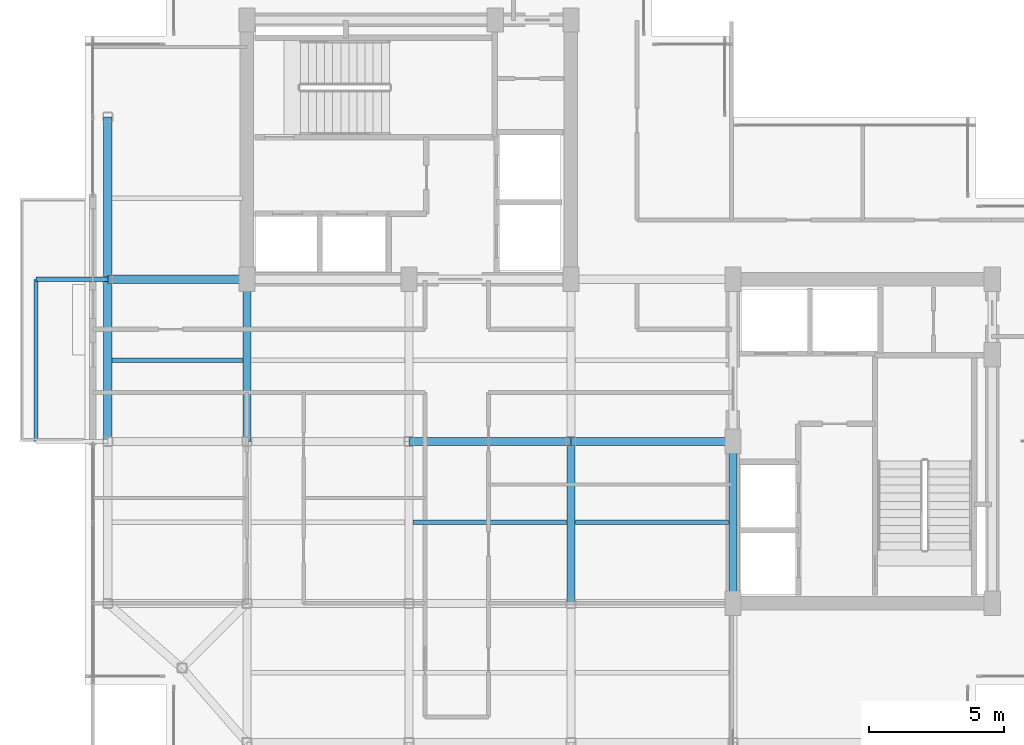
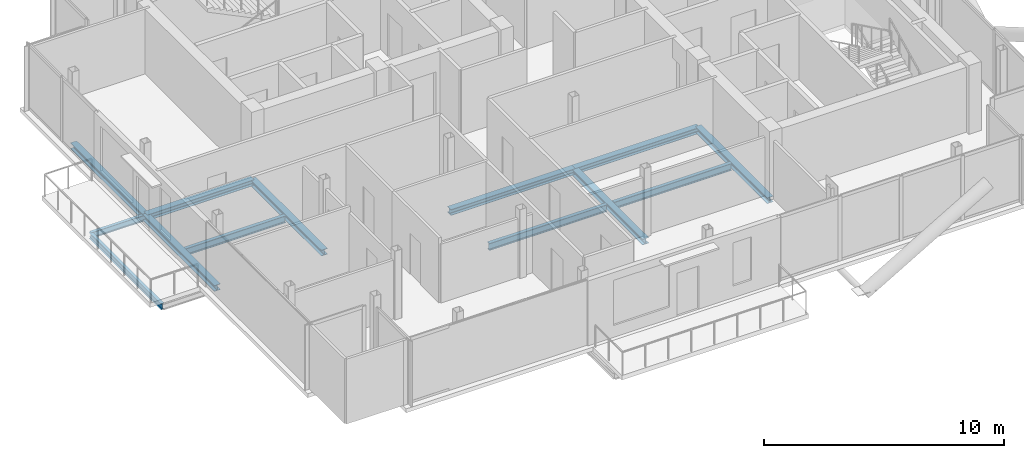
# One storey, part 6 of 18: 13 beams.
"""IFC4 building model written with IfcOpenShell, lengths in metres."""

import ifcopenshell
import ifcopenshell.guid

model = None  # the IFC model being written
_history = None  # IfcOwnerHistory: only IFC2X3 demands one
_inside = {}  # id of a spatial element -> (the spatial element, [elements in it])
_under = {}  # id of a project, library or spatial element -> (it, [spatial elements below it])
_declared = {}  # id of a project -> (the project, [libraries it declares])
_typed = {}  # id of a type object -> (the type object, [elements of that type])
_made_of = {}  # id of a material, layer set ... -> (it, [elements and type objects made of it])


def new_model(schema):
    """Start an empty IFC model of exactly this schema.

    Asked for "IFC4X3", IfcOpenShell would pick the latest addendum, in which some entities
    have other attributes; the version numbers below select the first issue.
    IFC2X3 requires an IfcOwnerHistory on every rooted entity: one is made here for all.
    """
    global model, _history
    if schema == "IFC4X3":
        model = ifcopenshell.file(schema_version=(4, 3, 0, 0))
    else:
        model = ifcopenshell.file(schema=schema)
    _inside.clear()
    _under.clear()
    _declared.clear()
    _typed.clear()
    _made_of.clear()
    _history = None
    if model.schema == "IFC2X3":
        org = make("IfcOrganization", Name="unknown")
        user = make(
            "IfcPersonAndOrganization",
            ThePerson=make("IfcPerson", FamilyName="unknown"),
            TheOrganization=org,
        )
        app = make(
            "IfcApplication",
            ApplicationDeveloper=org,
            Version="unknown",
            ApplicationFullName="unknown",
            ApplicationIdentifier="unknown",
        )
        _history = make(
            "IfcOwnerHistory",
            OwningUser=user,
            OwningApplication=app,
            ChangeAction="ADDED",
            CreationDate=0,
        )
    return model


def make(cls, **values):
    """One entity of the class cls with the attributes given. An attribute that is None is left unset."""
    return model.create_entity(
        cls, **{name: value for name, value in values.items() if value is not None}
    )


def rooted(cls, **values):
    """An entity with a GlobalId (a new one), such as an element, a storey or a relation."""
    return make(cls, GlobalId=ifcopenshell.guid.new(), OwnerHistory=_history, **values)


def si_unit(unit_type, name, prefix=None):
    """IfcSIUnit, for example si_unit("LENGTHUNIT", "METRE", prefix="MILLI")."""
    return make("IfcSIUnit", UnitType=unit_type, Prefix=prefix, Name=name)


def assignment(units):
    """IfcUnitAssignment: the units of a project."""
    return None if units is None else make("IfcUnitAssignment", Units=units)


def point(xyz):
    """IfcCartesianPoint."""
    return None if xyz is None else make("IfcCartesianPoint", Coordinates=xyz)


def direction(xyz):
    """IfcDirection."""
    return None if xyz is None else make("IfcDirection", DirectionRatios=xyz)


def frame(location, z_axis=None, x_axis=None):
    """IfcAxis2Placement3D, a coordinate frame: its origin and axes. An axis left out is left unset."""
    return make(
        "IfcAxis2Placement3D",
        Location=point(location),
        Axis=direction(z_axis),
        RefDirection=direction(x_axis),
    )


def frame_2d(location, x_axis=None):
    """IfcAxis2Placement2D, a coordinate frame in the plane: its origin and x axis."""
    return make(
        "IfcAxis2Placement2D", Location=point(location), RefDirection=direction(x_axis)
    )


def origin():
    """The frame at (0, 0, 0) with its axes left unset."""
    return frame((0.0, 0.0, 0.0))


def origin_2d():
    """The frame at (0, 0) in the plane with its x axis left unset."""
    return frame_2d((0.0, 0.0))


def place(relative_to, where):
    """IfcLocalPlacement: puts the frame where relative to a parent placement (None: the world)."""
    return make(
        "IfcLocalPlacement", PlacementRelTo=relative_to, RelativePlacement=where
    )


def context(
    kind, dimensions, precision=None, world=None, true_north=None, identifier=None
):
    """IfcGeometricRepresentationContext, for example the 3D "Model" context."""
    return make(
        "IfcGeometricRepresentationContext",
        ContextIdentifier=identifier,
        ContextType=kind,
        CoordinateSpaceDimension=dimensions,
        Precision=precision,
        WorldCoordinateSystem=world,
        TrueNorth=true_north,
    )


def subcontext(parent, identifier, kind, view, scale=None):
    """IfcGeometricRepresentationSubContext, for example "Body" below "Model"."""
    return make(
        "IfcGeometricRepresentationSubContext",
        ContextIdentifier=identifier,
        ContextType=kind,
        ParentContext=parent,
        TargetScale=scale,
        TargetView=view,
    )


def project(units=None, contexts=None):
    """IfcProject with its units and contexts."""
    return rooted(
        "IfcProject",
        Name="project",
        RepresentationContexts=contexts,
        UnitsInContext=assignment(units),
    )


def spatial(cls, under=None, at=None, **own):
    """A site, building, storey or space (cls), placed at a placement, below another one or the project."""
    s = rooted(cls, ObjectPlacement=at, **own)
    if under is not None:
        _under.setdefault(under.id(), (under, []))[1].append(s)
    return s


def profile(cls, at=None, kind="AREA", **sizes):
    """A parametric profile (cls). Its sizes go by their IFC names, for example OverallWidth=200.0."""
    return make(cls, ProfileType=kind, Position=at, **sizes)


def i_section(**sizes):
    """IfcIShapeProfileDef."""
    return profile("IfcIShapeProfileDef", **sizes)


def extrude(swept, where, along, depth):
    """IfcExtrudedAreaSolid: the profile swept, set in the frame where, extruded along a direction by depth."""
    return make(
        "IfcExtrudedAreaSolid",
        SweptArea=swept,
        Position=where,
        ExtrudedDirection=direction(along),
        Depth=depth,
    )


def shape(context_of_items, identifier, shape_type, items):
    """IfcShapeRepresentation: the items that make up one representation, for example the "Body"."""
    return make(
        "IfcShapeRepresentation",
        ContextOfItems=context_of_items,
        RepresentationIdentifier=identifier,
        RepresentationType=shape_type,
        Items=items,
    )


def material(Name=None, Category=None):
    """IfcMaterial."""
    return make("IfcMaterial", Name=Name, Category=Category)


def material_profile(
    of_material, cross_section, Name=None, Category=None, Priority=None
):
    """IfcMaterialProfile: a cross section and its material."""
    return make(
        "IfcMaterialProfile",
        Name=Name,
        Material=of_material,
        Profile=cross_section,
        Priority=Priority,
        Category=Category,
    )


def profile_set(profiles, Name=None, composite=None):
    """IfcMaterialProfileSet."""
    return make(
        "IfcMaterialProfileSet",
        Name=Name,
        MaterialProfiles=profiles,
        CompositeProfile=composite,
    )


def made_of(thing, what):
    """Note that an element or type object is made of a material, layer set ...; save() writes the relation."""
    if what is not None:
        _made_of.setdefault(what.id(), (what, []))[1].append(thing)
    return thing


def type_object(cls, material=None, **own):
    """A type object (cls), such as IfcWallType, which elements share."""
    return made_of(rooted(cls, **own), material)


def element(
    cls,
    number,
    at=None,
    inside=None,
    cuts=None,
    type_object=None,
    material=None,
    context=None,
    identifier="Body",
    shape_type=None,
    held_by="IfcProductDefinitionShape",
    body=None,
    shapes=None,
    **own,
):
    """One element of the class cls, such as IfcWall. Its Tag is "e" and its number.

    at: its placement. inside: the storey or other place that contains it. cuts: it is an
    opening in that element (IfcRelVoidsElement). A single representation is given by context,
    identifier, shape_type and body (its items); several are given by shapes. held_by: the class
    of the entity that holds the representations. save() writes the other relations.
    """
    e = rooted(cls, Tag="e%d" % number, ObjectPlacement=at, **own)
    if body is not None:
        shapes = [shape(context, identifier, shape_type, body)]
    if shapes is not None:
        e.Representation = make(held_by, Representations=shapes)
    if inside is not None:
        _inside.setdefault(inside.id(), (inside, []))[1].append(e)
    if cuts is not None:
        rooted(
            "IfcRelVoidsElement", RelatingBuildingElement=cuts, RelatedOpeningElement=e
        )
    if type_object is not None:
        _typed.setdefault(type_object.id(), (type_object, []))[1].append(e)
    return made_of(e, material)


def aggregate(whole, parts):
    """IfcRelAggregates: a whole, such as a stair, and the parts it consists of."""
    return rooted("IfcRelAggregates", RelatingObject=whole, RelatedObjects=parts)


def save(model, path):
    """Write the relations noted so far, then the file.

    IfcRelAggregates (storeys below a building ...), IfcRelContainedInSpatialStructure (elements
    in a storey), IfcRelDefinesByType, IfcRelAssociatesMaterial and IfcRelDeclares: one each for
    every whole, place, type object, material and project.
    """
    for whole, parts in _under.values():
        aggregate(whole, parts)
    for where, things in _inside.values():
        rooted(
            "IfcRelContainedInSpatialStructure",
            RelatedElements=things,
            RelatingStructure=where,
        )
    for kind, things in _typed.values():
        rooted("IfcRelDefinesByType", RelatedObjects=things, RelatingType=kind)
    for what, things in _made_of.values():
        rooted("IfcRelAssociatesMaterial", RelatedObjects=things, RelatingMaterial=what)
    for by, libraries in _declared.values():
        rooted("IfcRelDeclares", RelatingContext=by, RelatedDefinitions=libraries)
    model.write(path)


model = new_model("IFC4")

# Units and contexts
model_context = context("Model", 3, precision=1e-05, world=origin(), true_north=direction((0.0, 1.0)))
body_context = subcontext(model_context, "Body", "Model", "MODEL_VIEW")
ifc_project = project(units=[si_unit("LENGTHUNIT", "METRE"), si_unit("AREAUNIT", "SQUARE_METRE"), si_unit("VOLUMEUNIT", "CUBIC_METRE"), si_unit("PLANEANGLEUNIT", "RADIAN"), si_unit("MASSUNIT", "GRAM", prefix="KILO"), si_unit("THERMODYNAMICTEMPERATUREUNIT", "KELVIN"), si_unit("POWERUNIT", "WATT")], contexts=[model_context])

# Site, building, storey
site_placement = place(None, origin())
site = spatial("IfcSite", under=ifc_project, at=site_placement, CompositionType="ELEMENT")
building_placement = place(site_placement, origin())
building = spatial("IfcBuilding", under=site, at=building_placement, Name="Svarakhadi Broadcast Tower", CompositionType="ELEMENT")
storey_placement = place(building_placement, frame((0.0, 0.0, 267.699951171875)))
storey = spatial("IfcBuildingStorey", under=building, at=storey_placement, Name="L67", CompositionType="ELEMENT", Elevation=267.699951171875)

# Beams
ifc_material = material(Name="Steel S355J2 (IS 2062 E350C)", Category="steel")
ifc_material_profile_1 = material_profile(ifc_material, i_section(OverallWidth=0.169921875, OverallDepth=0.360107421875, WebThickness=0.008056640625, FlangeThickness=0.0126953125, FilletRadius=0.01806640625, at=origin_2d()), Name="NPB 360x170x57")
ifc_profile_set_1 = profile_set([ifc_material_profile_1], Name="Steel S355J2 (IS 2062 E350C)")
beam_type_1 = type_object("IfcBeamType", Name="Beam_NPB360", PredefinedType="BEAM", material=ifc_profile_set_1)
beam_1_placement = place(storey_placement, frame((1.010009765625, 15.0, -0.3798828125), z_axis=(1.0, 0.0, 0.0), x_axis=(0.0, 1.0, 0.0)))
element("IfcBeam", 1, at=beam_1_placement, inside=storey, type_object=beam_type_1, Name="L67 Secondary Composite Beam SB002", PredefinedType="BEAM", context=body_context, shape_type="SweptSolid", body=[
    extrude(i_section(OverallWidth=0.169921875, OverallDepth=0.360107421875, WebThickness=0.008056640625, FlangeThickness=0.0126953125, FilletRadius=0.01806640625, at=origin_2d()), origin(), (0.0, 0.0, 1.0), 4.830078125),
])
for number, where, z_axis, x_axis, name in (
    (2, (12.159912109375, 9.0, -0.3798828125), (1.0, 0.0, 0.0), (0.0, 1.0, 0.0), "L67 Secondary Composite Beam SB008"),
    (3, (18.159912109375, 9.0, -0.3798828125), (1.0, 0.0, 0.0), (0.0, 1.0, 0.0), "L67 Secondary Composite Beam SB011"),
):
    element("IfcBeam", number, at=place(storey_placement, frame(where, z_axis=z_axis, x_axis=x_axis)), inside=storey, type_object=beam_type_1, Name=name, PredefinedType="BEAM", context=body_context, shape_type="SweptSolid", body=[
        extrude(i_section(OverallWidth=0.169921875, OverallDepth=0.360107421875, WebThickness=0.008056640625, FlangeThickness=0.0126953125, FilletRadius=0.01806640625, at=origin_2d()), origin(), (0.0, 0.0, 1.0), 5.68017578125),
    ])
ifc_material_profile_2 = material_profile(ifc_material, i_section(OverallWidth=0.300048828125, OverallDepth=0.300048828125, WebThickness=0.010986328125, FlangeThickness=0.01904296875, FilletRadius=0.027099609375, at=origin_2d()), Name="WPB 300x300x117")
ifc_profile_set_2 = profile_set([ifc_material_profile_2], Name="Steel S355J2 (IS 2062 E350C)")
beam_type_2 = type_object("IfcBeamType", Name="Girder_WPB300", PredefinedType="USERDEFINED", material=ifc_profile_set_2)
for number, where, z_axis, x_axis, name in (
    (4, (12.0, 12.0, -0.349853515625), (1.0, 0.0, 0.0), (0.0, 1.0, 0.0), "L67 Primary E-W Girder G015"),
    (5, (18.0, 12.0, -0.349853515625), (1.0, 0.0, 0.0), (0.0, 1.0, 0.0), "L67 Primary E-W Girder G016"),
):
    element("IfcBeam", number, at=place(storey_placement, frame(where, z_axis=z_axis, x_axis=x_axis)), inside=storey, type_object=beam_type_2, Name=name, ObjectType="GIRDER", PredefinedType="USERDEFINED", context=body_context, shape_type="SweptSolid", body=[
        extrude(i_section(OverallWidth=0.300048828125, OverallDepth=0.300048828125, WebThickness=0.010986328125, FlangeThickness=0.01904296875, FilletRadius=0.027099609375, at=origin_2d()), origin(), (0.0, 0.0, 1.0), 6.0),
    ])
beam_2_placement = place(storey_placement, frame((0.85009765625, 18.0, -0.349853515625), z_axis=(1.0, 0.0, 0.0), x_axis=(0.0, 1.0, 0.0)))
element("IfcBeam", 6, at=beam_2_placement, inside=storey, type_object=beam_type_2, Name="L67 Primary E-W Girder G017", ObjectType="GIRDER", PredefinedType="USERDEFINED", context=body_context, shape_type="SweptSolid", body=[
    extrude(i_section(OverallWidth=0.300048828125, OverallDepth=0.300048828125, WebThickness=0.010986328125, FlangeThickness=0.01904296875, FilletRadius=0.027099609375, at=origin_2d()), origin(), (0.0, 0.0, 1.0), 5.14990234375),
])
for number, where, z_axis, x_axis, name in (
    (7, (0.85009765625, 12.0, -0.349853515625), (0.0, 1.0, 0.0), (-1.0, 0.0, 0.0), "L67 Primary N-S Girder G027"),
    (8, (0.85009765625, 18.0, -0.349853515625), (0.0, 1.0, 0.0), (-1.0, 0.0, 0.0), "L67 Primary N-S Girder G028"),
    (9, (6.0, 12.0, -0.349853515625), (0.0, 1.0, 0.0), (-1.0, 0.0, 0.0), "L67 Primary N-S Girder G031"),
    (10, (18.0, 6.0, -0.349853515625), (0.0, 1.0, 0.0), (-1.0, 0.0, 0.0), "L67 Primary N-S Girder G037"),
    (11, (24.0, 6.0, -0.349853515625), (0.0, 1.0, 0.0), (-1.0, 0.0, 0.0), "L67 Primary N-S Girder G041"),
):
    element("IfcBeam", number, at=place(storey_placement, frame(where, z_axis=z_axis, x_axis=x_axis)), inside=storey, type_object=beam_type_2, Name=name, ObjectType="GIRDER", PredefinedType="USERDEFINED", context=body_context, shape_type="SweptSolid", body=[
        extrude(i_section(OverallWidth=0.300048828125, OverallDepth=0.300048828125, WebThickness=0.010986328125, FlangeThickness=0.01904296875, FilletRadius=0.027099609375, at=origin_2d()), origin(), (0.0, 0.0, 1.0), 6.0),
    ])
ifc_material_profile_3 = material_profile(ifc_material, i_section(OverallWidth=0.14990234375, OverallDepth=0.300048828125, WebThickness=0.007080078125, FlangeThickness=0.0107421875, FilletRadius=0.014892578125, at=origin_2d()), Name="NPB 300x150x37")
ifc_profile_set_3 = profile_set([ifc_material_profile_3], Name="Steel S355J2 (IS 2062 E350C)")
beam_type_3 = type_object("IfcBeamType", Name="Spandrel_NPB300", PredefinedType="SPANDREL", material=ifc_profile_set_3)
beam_3_placement = place(storey_placement, frame((0.85009765625, 18.0, -0.375), z_axis=(-1.0, 0.0, 0.0), x_axis=(0.0, -1.0, 0.0)))
element("IfcBeam", 12, at=beam_3_placement, inside=storey, type_object=beam_type_3, Name="L67 Balcony Cantilever Bracket 2B", PredefinedType="SPANDREL", context=body_context, shape_type="SweptSolid", body=[
    extrude(i_section(OverallWidth=0.14990234375, OverallDepth=0.300048828125, WebThickness=0.007080078125, FlangeThickness=0.0107421875, FilletRadius=0.014892578125, at=origin_2d()), origin(), (0.0, 0.0, 1.0), 2.650146484375),
])
beam_4_placement = place(storey_placement, frame((-1.800048828125, 12.0, -0.375), z_axis=(0.0, 1.0, 0.0), x_axis=(-1.0, 0.0, 0.0)))
element("IfcBeam", 13, at=beam_4_placement, inside=storey, type_object=beam_type_3, Name="L67 Balcony Outer Spandrel 2F", PredefinedType="SPANDREL", context=body_context, shape_type="SweptSolid", body=[
    extrude(i_section(OverallWidth=0.14990234375, OverallDepth=0.300048828125, WebThickness=0.007080078125, FlangeThickness=0.0107421875, FilletRadius=0.014892578125, at=origin_2d()), origin(), (0.0, 0.0, 1.0), 6.0),
])

save(model, "model.ifc")
